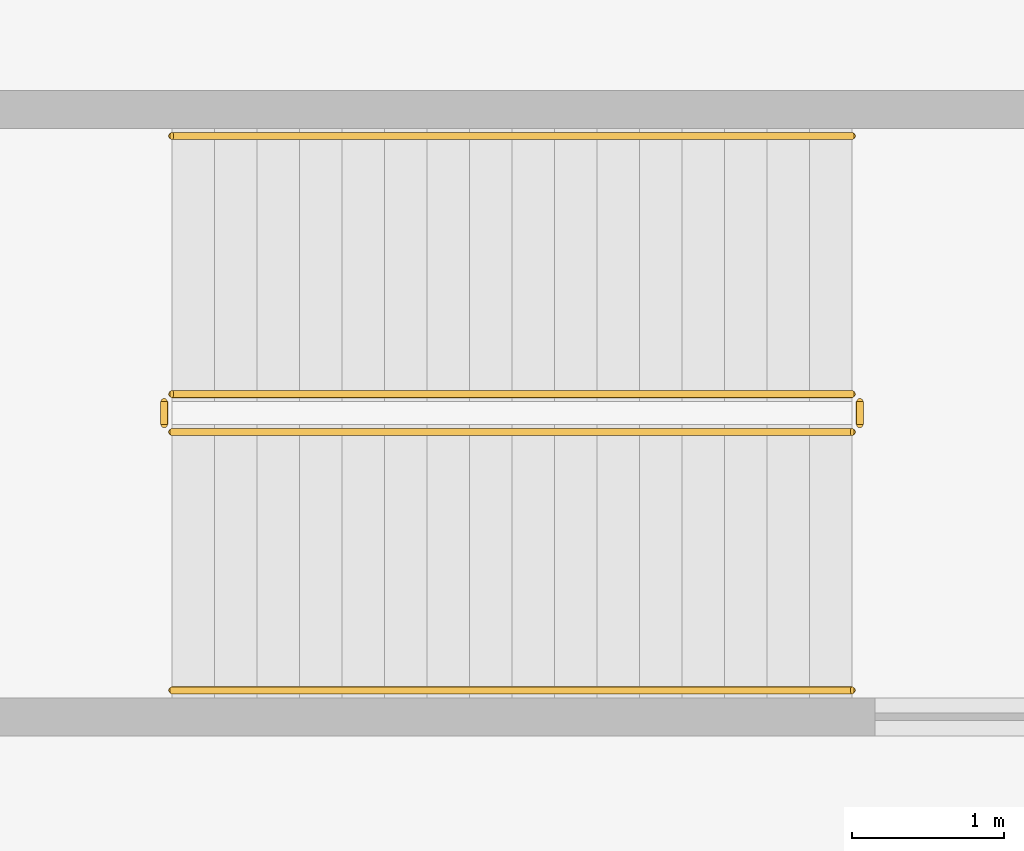
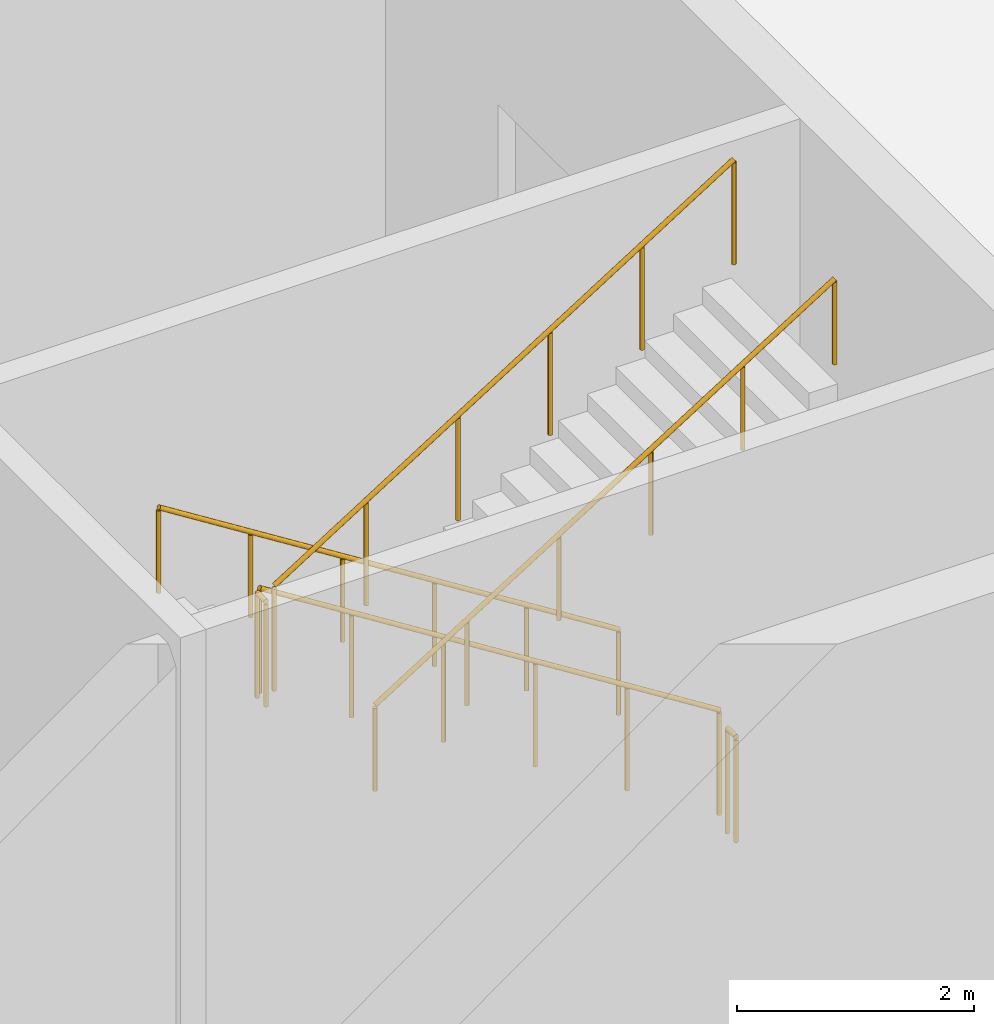
# One storey, part 46 of 47: 6 railings.
"""IFC4 building model written with IfcOpenShell, lengths in metres."""

from ifc_helpers import new_model, si_unit, direction, frame, origin, origin_2d, place, context, subcontext, project, spatial, circle, extrude, material, type_object, element, save


model = new_model("IFC4")

# Units and contexts
model_context = context("Model", 3, precision=1e-05, world=origin(), true_north=direction((0.0, 1.0)))
body_context = subcontext(model_context, "Body", "Model", "MODEL_VIEW")
ifc_project = project(units=[si_unit("LENGTHUNIT", "METRE"), si_unit("AREAUNIT", "SQUARE_METRE"), si_unit("VOLUMEUNIT", "CUBIC_METRE"), si_unit("PLANEANGLEUNIT", "RADIAN"), si_unit("MASSUNIT", "GRAM", prefix="KILO")], contexts=[model_context])

# Site, building, storey
site_placement = place(None, origin())
site = spatial("IfcSite", under=ifc_project, at=site_placement, CompositionType="ELEMENT")
building_placement = place(site_placement, origin())
building = spatial("IfcBuilding", under=site, at=building_placement, Name="Hunhe Ridgeline Campus", CompositionType="ELEMENT")
storey_placement = place(building_placement, origin())
storey = spatial("IfcBuildingStorey", under=building, at=storey_placement, Name="L00", CompositionType="ELEMENT", Elevation=0.0)

# Railings
ifc_material = material(Name="Steel Q235", Category="steel")
railing_type_1 = type_object("IfcRailingType", Name="Hall stair guard 1100", PredefinedType="GUARDRAIL", material=ifc_material)
railing_1_placement = place(storey_placement, frame((207.800048828125, 67.35009765625, 0.176513671875)))
element("IfcRailing", 1, at=railing_1_placement, inside=storey, type_object=railing_type_1, Name="L00 HS4 stair guard 1", PredefinedType="GUARDRAIL", context=body_context, shape_type="SweptSolid", body=[
    extrude(circle(Radius=0.02392578125, at=origin_2d()), frame((0.0, 0.0, 1.076171875), z_axis=(-0.845997938375, 0.0, 0.533186166611), x_axis=(0.0, -1.0, 0.0)), (0.0, 0.0, 1.0), 5.29541015625),
    extrude(circle(Radius=0.02099609375, at=origin_2d()), origin(), (0.0, 0.0, 1.0), 1.052001953125),
    extrude(circle(Radius=0.02099609375, at=origin_2d()), frame((-0.89599609375, 0.0, 0.564697265625)), (0.0, 0.0, 1.0), 1.052001953125),
    extrude(circle(Radius=0.02099609375, at=origin_2d()), frame((-1.7919921875, 0.0, 1.12939453125)), (0.0, 0.0, 1.0), 1.052001953125),
    extrude(circle(Radius=0.02099609375, at=origin_2d()), frame((-2.68798828125, 0.0, 1.694091796875)), (0.0, 0.0, 1.0), 1.052001953125),
    extrude(circle(Radius=0.02099609375, at=origin_2d()), frame((-3.583984375, 0.0, 2.2587890625)), (0.0, 0.0, 1.0), 1.052001953125),
    extrude(circle(Radius=0.02099609375, at=origin_2d()), frame((-4.47998046875, 0.0, 2.823486328125)), (0.0, 0.0, 1.0), 1.052001953125),
])
railing_2_placement = place(storey_placement, frame((203.27001953125, 67.300048828125, 3.0)))
element("IfcRailing", 2, at=railing_2_placement, inside=storey, type_object=railing_type_1, Name="L00 HS4 stair guard 2", PredefinedType="GUARDRAIL", context=body_context, shape_type="SweptSolid", body=[
    extrude(circle(Radius=0.02392578125, at=origin_2d()), frame((0.0, 0.0, 1.076171875), z_axis=(0.0, -1.0, 0.0), x_axis=(1.0, 0.0, 0.0)), (0.0, 0.0, 1.0), 0.150146484375),
    extrude(circle(Radius=0.02099609375, at=origin_2d()), origin(), (0.0, 0.0, 1.0), 1.052001953125),
    extrude(circle(Radius=0.02099609375, at=origin_2d()), frame((0.0, -0.150146484375, 0.0)), (0.0, 0.0, 1.0), 1.052001953125),
])
railing_3_placement = place(storey_placement, frame((203.320068359375, 67.10009765625, 3.176513671875)))
element("IfcRailing", 3, at=railing_3_placement, inside=storey, type_object=railing_type_1, Name="L00 HS4 stair guard 3", PredefinedType="GUARDRAIL", context=body_context, shape_type="SweptSolid", body=[
    extrude(circle(Radius=0.02392578125, at=origin_2d()), frame((0.0, 0.0, 1.076171875), z_axis=(0.845997938375, 0.0, 0.533186166611), x_axis=(0.0, 1.0, 0.0)), (0.0, 0.0, 1.0), 5.29541015625),
    extrude(circle(Radius=0.02099609375, at=origin_2d()), origin(), (0.0, 0.0, 1.0), 1.052001953125),
    extrude(circle(Radius=0.02099609375, at=origin_2d()), frame((0.89599609375, 0.0, 0.564697265625)), (0.0, 0.0, 1.0), 1.052001953125),
    extrude(circle(Radius=0.02099609375, at=origin_2d()), frame((1.7919921875, 0.0, 1.12939453125)), (0.0, 0.0, 1.0), 1.052001953125),
    extrude(circle(Radius=0.02099609375, at=origin_2d()), frame((2.68798828125, 0.0, 1.694091796875)), (0.0, 0.0, 1.0), 1.052001953125),
    extrude(circle(Radius=0.02099609375, at=origin_2d()), frame((3.583984375, 0.0, 2.2587890625)), (0.0, 0.0, 1.0), 1.052001953125),
    extrude(circle(Radius=0.02099609375, at=origin_2d()), frame((4.47998046875, 0.0, 2.823486328125)), (0.0, 0.0, 1.0), 1.052001953125),
])
railing_4_placement = place(storey_placement, frame((207.85009765625, 67.300048828125, 0.0)))
element("IfcRailing", 4, at=railing_4_placement, inside=storey, type_object=railing_type_1, Name="L00 HS4 stair guard 4", PredefinedType="GUARDRAIL", context=body_context, shape_type="SweptSolid", body=[
    extrude(circle(Radius=0.02392578125, at=origin_2d()), frame((0.0, 0.0, 1.076171875), z_axis=(0.0, -1.0, 0.0), x_axis=(1.0, 0.0, 0.0)), (0.0, 0.0, 1.0), 0.150146484375),
    extrude(circle(Radius=0.02099609375, at=origin_2d()), origin(), (0.0, 0.0, 1.0), 1.052001953125),
    extrude(circle(Radius=0.02099609375, at=origin_2d()), frame((0.0, -0.150146484375, 0.0)), (0.0, 0.0, 1.0), 1.052001953125),
])
railing_type_2 = type_object("IfcRailingType", Name="Hall stair handrail", PredefinedType="HANDRAIL", material=ifc_material)
railing_5_placement = place(storey_placement, frame((207.800048828125, 69.050048828125, 0.176513671875)))
element("IfcRailing", 5, at=railing_5_placement, inside=storey, type_object=railing_type_2, Name="L00 HS4 stair handrail 1", PredefinedType="HANDRAIL", context=body_context, shape_type="SweptSolid", body=[
    extrude(circle(Radius=0.02392578125, at=origin_2d()), frame((0.0, 0.0, 0.8759765625), z_axis=(-0.845997938375, 0.0, 0.533186166611), x_axis=(0.0, -1.0, 0.0)), (0.0, 0.0, 1.0), 5.29541015625),
    extrude(circle(Radius=0.02099609375, at=origin_2d()), origin(), (0.0, 0.0, 1.0), 0.851806640625),
    extrude(circle(Radius=0.02099609375, at=origin_2d()), frame((-0.89599609375, 0.0, 0.564697265625)), (0.0, 0.0, 1.0), 0.851806640625),
    extrude(circle(Radius=0.02099609375, at=origin_2d()), frame((-1.7919921875, 0.0, 1.12939453125)), (0.0, 0.0, 1.0), 0.851806640625),
    extrude(circle(Radius=0.02099609375, at=origin_2d()), frame((-2.68798828125, 0.0, 1.694091796875)), (0.0, 0.0, 1.0), 0.851806640625),
    extrude(circle(Radius=0.02099609375, at=origin_2d()), frame((-3.583984375, 0.0, 2.2587890625)), (0.0, 0.0, 1.0), 0.851806640625),
    extrude(circle(Radius=0.02099609375, at=origin_2d()), frame((-4.47998046875, 0.0, 2.823486328125)), (0.0, 0.0, 1.0), 0.851806640625),
])
railing_6_placement = place(storey_placement, frame((203.320068359375, 65.39990234375, 3.176513671875)))
element("IfcRailing", 6, at=railing_6_placement, inside=storey, type_object=railing_type_2, Name="L00 HS4 stair handrail 2", PredefinedType="HANDRAIL", context=body_context, shape_type="SweptSolid", body=[
    extrude(circle(Radius=0.02392578125, at=origin_2d()), frame((0.0, 0.0, 0.8759765625), z_axis=(0.845997938375, 0.0, 0.533186166611), x_axis=(0.0, 1.0, 0.0)), (0.0, 0.0, 1.0), 5.29541015625),
    extrude(circle(Radius=0.02099609375, at=origin_2d()), origin(), (0.0, 0.0, 1.0), 0.851806640625),
    extrude(circle(Radius=0.02099609375, at=origin_2d()), frame((0.89599609375, 0.0, 0.564697265625)), (0.0, 0.0, 1.0), 0.851806640625),
    extrude(circle(Radius=0.02099609375, at=origin_2d()), frame((1.7919921875, 0.0, 1.12939453125)), (0.0, 0.0, 1.0), 0.851806640625),
    extrude(circle(Radius=0.02099609375, at=origin_2d()), frame((2.68798828125, 0.0, 1.694091796875)), (0.0, 0.0, 1.0), 0.851806640625),
    extrude(circle(Radius=0.02099609375, at=origin_2d()), frame((3.583984375, 0.0, 2.2587890625)), (0.0, 0.0, 1.0), 0.851806640625),
    extrude(circle(Radius=0.02099609375, at=origin_2d()), frame((4.47998046875, 0.0, 2.823486328125)), (0.0, 0.0, 1.0), 0.851806640625),
])

save(model, "model.ifc")
